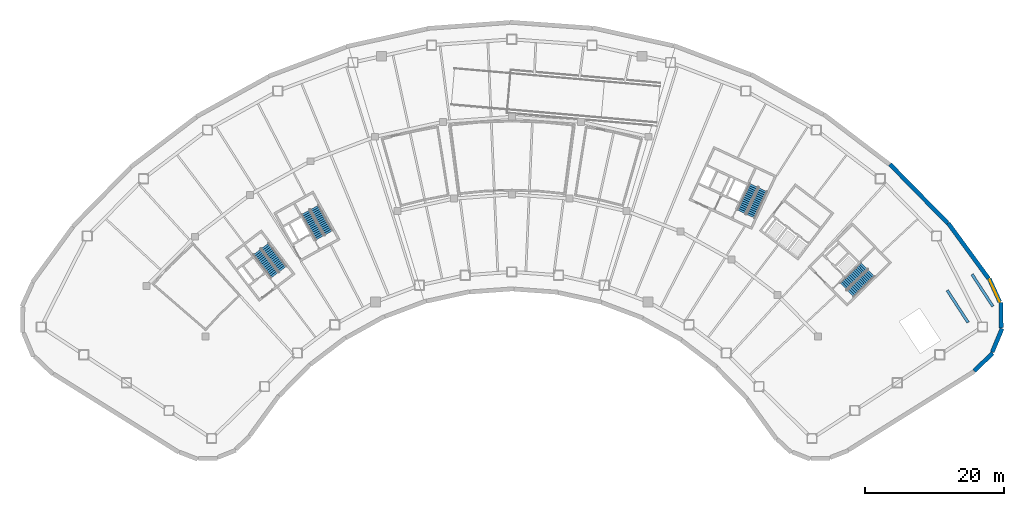
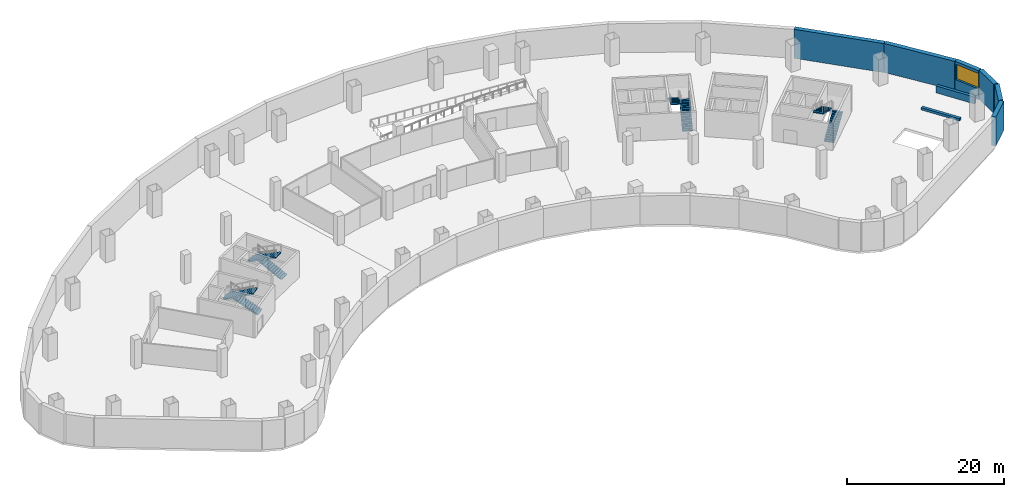
# One storey, part 8 of 11: 8 stair flights, 8 walls, 1 door, 1 opening, 4 elements without a shape of their own.
"""IFC4 building model written with IfcOpenShell, lengths in metres."""

from ifc_helpers import new_model, si_unit, direction, frame, frame_2d, origin, place, context, subcontext, project, spatial, polyline, rectangle, outline, extrude, material, layer, layer_set, type_object, element, fill, aggregate, save


model = new_model("IFC4")

# Units and contexts
model_context = context("Model", 3, precision=1e-05, world=origin(), true_north=direction((0.0, 1.0)))
body_context = subcontext(model_context, "Body", "Model", "MODEL_VIEW")
ifc_project = project(units=[si_unit("LENGTHUNIT", "METRE"), si_unit("AREAUNIT", "SQUARE_METRE"), si_unit("VOLUMEUNIT", "CUBIC_METRE"), si_unit("PLANEANGLEUNIT", "RADIAN"), si_unit("MASSUNIT", "GRAM", prefix="KILO")], contexts=[model_context])

# Site, building, storey
site_placement = place(None, origin())
site = spatial("IfcSite", under=ifc_project, at=site_placement, CompositionType="ELEMENT")
building_placement = place(site_placement, origin())
building = spatial("IfcBuilding", under=site, at=building_placement, Name="Tuul Gate Civic Tower", CompositionType="ELEMENT")
storey_placement = place(building_placement, frame((0.0, 0.0, -4.5)))
storey = spatial("IfcBuildingStorey", under=building, at=storey_placement, Name="Basement 1", CompositionType="ELEMENT", Elevation=-4.5)

# Walls
ifc_material_1 = material(Name="Concrete C40/50", Category="concrete")
ifc_layer_1 = layer(ifc_material_1, 0.39990234375)
ifc_layer_set_1 = layer_set([ifc_layer_1], Name="Concrete C40/50")
wall_type_1 = type_object("IfcWallType", Name="Ramp support wall 1075 HIGH", PredefinedType="SOLIDWALL", material=ifc_layer_set_1)
wall_1_placement = place(storey_placement, frame((66.068115234375, -13.81591796875, -0.0009765625), z_axis=(0.0, 0.0, 1.0), x_axis=(0.544662212455, -0.838655515885, 0.0)))
element("IfcWall", 1, at=wall_1_placement, inside=storey, type_object=wall_type_1, Name="Ramp support wall 1075 HIGH", PredefinedType="SOLIDWALL", context=body_context, shape_type="SweptSolid", body=[
    extrude(rectangle(XDim=5.5, YDim=0.39990234375, at=frame_2d((2.75, 0.0))), origin(), (0.0, 0.0, 1.0), 1.0751953125),
])
ifc_material_2 = material(Name="Concrete C40/50", Category="concrete")
ifc_layer_2 = layer(ifc_material_2, 0.39990234375)
ifc_layer_set_2 = layer_set([ifc_layer_2], Name="Concrete C40/50")
wall_type_2 = type_object("IfcWallType", Name="Ramp support wall 368 HIGH", PredefinedType="SOLIDWALL", material=ifc_layer_set_2)
wall_2_placement = place(storey_placement, frame((62.51220703125, -16.125, -0.0009765625), z_axis=(0.0, 0.0, 1.0), x_axis=(0.544641936525, -0.838668683676, 0.0)))
element("IfcWall", 2, at=wall_2_placement, inside=storey, type_object=wall_type_2, Name="Ramp support wall 368 HIGH", PredefinedType="SOLIDWALL", context=body_context, shape_type="SweptSolid", body=[
    extrude(rectangle(XDim=5.500244140625, YDim=0.39990234375, at=frame_2d((2.75, 0.0))), origin(), (0.0, 0.0, 1.0), 0.368408203125),
])
ifc_material_3 = material(Name="Concrete C40/50", Category="concrete")
ifc_layer_3 = layer(ifc_material_3, 0.60009765625)
ifc_layer_set_3 = layer_set([ifc_layer_3], Name="Concrete C40/50")
wall_type_3 = type_object("IfcWallType", Name="STR-BASEMENT-WALL-600", PredefinedType="SOLIDWALL", material=ifc_layer_set_3)
wall_3_placement = place(storey_placement, frame((66.369140625, -27.698486328125, 0.0), z_axis=(0.0, 0.0, 1.0), x_axis=(0.722172464987, 0.691713040801, 0.0)))
element("IfcWall", 3, at=wall_3_placement, inside=storey, type_object=wall_type_3, Name="Retaining wall", PredefinedType="SOLIDWALL", context=body_context, shape_type="SweptSolid", body=[
    extrude(rectangle(XDim=3.695068359375, YDim=0.60009765625, at=frame_2d((1.84765625, 0.0))), origin(), (0.0, 0.0, 1.0), 4.5),
])
wall_4_placement = place(storey_placement, frame((68.973876953125, -24.984619140625, 0.0), z_axis=(0.0, 0.0, 1.0), x_axis=(0.38582474077, 0.922572094424, 0.0)))
element("IfcWall", 4, at=wall_4_placement, inside=storey, type_object=wall_type_3, Name="Retaining wall", PredefinedType="SOLIDWALL", context=body_context, shape_type="SweptSolid", body=[
    extrude(rectangle(XDim=3.654296875, YDim=0.60009765625, at=frame_2d((1.8271484375, 0.0))), origin(), (0.0, 0.0, 1.0), 4.5),
])
wall_5_placement = place(storey_placement, frame((70.26220703125, -21.494140625, 0.0), z_axis=(0.0, 0.0, 1.0), x_axis=(-0.014359617427, 0.999896895378, 0.0)))
element("IfcWall", 5, at=wall_5_placement, inside=storey, type_object=wall_type_3, Name="Retaining wall", PredefinedType="SOLIDWALL", context=body_context, shape_type="SweptSolid", body=[
    extrude(rectangle(XDim=3.655517578125, YDim=0.60009765625, at=frame_2d((1.82763671875, 0.0))), origin(), (0.0, 0.0, 1.0), 4.5),
])

# Wall, opening, door
wall_6_placement = place(storey_placement, frame((70.050537109375, -17.7783203125, 0.0), z_axis=(0.0, 0.0, 1.0), x_axis=(-0.413012649276, 0.910725288733, 0.0)))
wall_6 = element("IfcWall", 6, at=wall_6_placement, inside=storey, type_object=wall_type_3, Name="Retaining wall", PredefinedType="SOLIDWALL", context=body_context, shape_type="SweptSolid", body=[
    extrude(rectangle(XDim=3.65478515625, YDim=0.60009765625, at=frame_2d((1.827392578125, 0.0))), origin(), (0.0, 0.0, 1.0), 4.5),
])
opening_placement = place(wall_6_placement, frame((0.004638671875, 0.0, 1.673095703125)))
opening = element("IfcOpeningElement", 7, at=opening_placement, cuts=wall_6, Name="Opening VD", PredefinedType="OPENING", context=body_context, shape_type="SweptSolid", body=[
    extrude(rectangle(XDim=3.5, YDim=2.39990234375, at=frame_2d((1.75, 1.199951171875))), frame((0.0, 0.31005859375, 0.0), z_axis=(0.0, -1.0, 0.0), x_axis=(1.0, 0.0, 0.0)), (0.0, 0.0, 1.0), 0.6201171875),
])
ifc_material_4 = material(Name="Galvanised steel", Category="steel")
door_type = type_object("IfcDoorType", Name="Vehicle door", OperationType="ROLLINGUP", PredefinedType="DOOR", material=ifc_material_4)
door_placement = place(opening_placement, origin())
door = element("IfcDoor", 8, at=door_placement, inside=storey, type_object=door_type, Name="Vehicle door", OperationType="ROLLINGUP", OverallHeight=2.39990234375, OverallWidth=3.5, PredefinedType="DOOR", context=body_context, shape_type="SweptSolid", body=[
    extrude(rectangle(XDim=3.5, YDim=2.39990234375, at=frame_2d((1.75, 1.199951171875))), frame((0.0, 0.02490234375, 0.0), z_axis=(0.0, -1.0, 0.0), x_axis=(1.0, 0.0, 0.0)), (0.0, 0.0, 1.0), 0.050048828125),
])
fill(opening, door)

# Walls
wall_7_placement = place(storey_placement, frame((68.454833984375, -14.435302734375, 0.0), z_axis=(0.0, 0.0, 1.0), x_axis=(-0.58971390071, 0.807612230783, 0.0)))
element("IfcWall", 9, at=wall_7_placement, inside=storey, type_object=wall_type_3, Name="Retaining wall", PredefinedType="SOLIDWALL", context=body_context, shape_type="SweptSolid", body=[
    extrude(rectangle(XDim=9.82958984375, YDim=0.60009765625, at=frame_2d((4.914794921875, 0.0))), origin(), (0.0, 0.0, 1.0), 4.5),
])
wall_8_placement = place(storey_placement, frame((62.595947265625, -6.4951171875, 0.0), z_axis=(0.0, 0.0, 1.0), x_axis=(-0.70006297283, 0.71408111169, 0.0)))
element("IfcWall", 10, at=wall_8_placement, inside=storey, type_object=wall_type_3, Name="Retaining wall", PredefinedType="SOLIDWALL", context=body_context, shape_type="SweptSolid", body=[
    extrude(rectangle(XDim=11.8603515625, YDim=0.60009765625, at=frame_2d((5.93017578125, 0.0))), origin(), (0.0, 0.0, 1.0), 4.5),
])

# Stair, stair flights
ifc_material_5 = material(Name="Concrete C40/50", Category="concrete")
stair_type = type_object("IfcStairType", Name="Exit stair", PredefinedType="HALF_TURN_STAIR", material=ifc_material_5)
stair_1_placement = place(storey_placement, origin())
stair_1 = element("IfcStair", 11, at=stair_1_placement, inside=storey, type_object=stair_type, Name="Basement 1 ST-1", PredefinedType="HALF_TURN_STAIR")
ifc_material_6 = material(Name="Concrete C40/50", Category="concrete")
stair_flight_type = type_object("IfcStairFlightType", Name="Exit stair flight", PredefinedType="STRAIGHT", material=ifc_material_6)
stair_flight_1_placement = place(storey_placement, frame((-32.875244140625, -13.066650390625, 0.0), z_axis=(0.0, 0.0, 1.0), x_axis=(-0.605764474941, 0.795644016442, 0.0)))
stair_flight_1 = element("IfcStairFlight", 12, at=stair_flight_1_placement, type_object=stair_flight_type, Name="ST-1 flight 1", NumberOfRisers=15, NumberOfTreads=14, PredefinedType="STRAIGHT", RiserHeight=0.15, TreadLength=0.3, context=body_context, shape_type="SweptSolid", body=[
    extrude(outline(polyline([(0.0, 0.0), (0.0, 0.14990234375), (0.300048828125, 0.14990234375), (0.300048828125, 0.300048828125), (0.60009765625, 0.300048828125), (0.60009765625, 0.449951171875), (0.89990234375, 0.449951171875), (0.89990234375, 0.60009765625), (1.199951171875, 0.60009765625), (1.199951171875, 0.75), (1.5, 0.75), (1.5, 0.89990234375), (1.800048828125, 0.89990234375), (1.800048828125, 1.050048828125), (2.10009765625, 1.050048828125), (2.10009765625, 1.199951171875), (2.39990234375, 1.199951171875), (2.39990234375, 1.35009765625), (2.699951171875, 1.35009765625), (2.699951171875, 1.5), (3.0, 1.5), (3.0, 1.64990234375), (3.300048828125, 1.64990234375), (3.300048828125, 1.800048828125), (3.60009765625, 1.800048828125), (3.60009765625, 1.949951171875), (3.89990234375, 1.949951171875), (3.89990234375, 2.10009765625), (4.199951171875, 2.10009765625), (4.199951171875, 2.25), (4.199951171875, 1.932373046875), (0.335205078125, 0.0), (0.0, 0.0)])), frame((0.0, 0.675048828125, 0.0), z_axis=(0.0, -1.0, 0.0), x_axis=(1.0, 0.0, 0.0)), (0.0, 0.0, 1.0), 1.35009765625),
])
stair_flight_2_placement = place(storey_placement, frame((-36.5732421875, -10.603515625, 2.25), z_axis=(0.0, 0.0, 1.0), x_axis=(0.605764474941, -0.795644016442, 0.0)))
stair_flight_2 = element("IfcStairFlight", 13, at=stair_flight_2_placement, type_object=stair_flight_type, Name="ST-1 flight 2", NumberOfRisers=15, NumberOfTreads=14, PredefinedType="STRAIGHT", RiserHeight=0.15, TreadLength=0.3, context=body_context, shape_type="SweptSolid", body=[
    extrude(outline(polyline([(0.0, 0.0), (0.0, 0.14990234375), (0.300048828125, 0.14990234375), (0.300048828125, 0.300048828125), (0.60009765625, 0.300048828125), (0.60009765625, 0.449951171875), (0.89990234375, 0.449951171875), (0.89990234375, 0.60009765625), (1.199951171875, 0.60009765625), (1.199951171875, 0.75), (1.5, 0.75), (1.5, 0.89990234375), (1.800048828125, 0.89990234375), (1.800048828125, 1.050048828125), (2.10009765625, 1.050048828125), (2.10009765625, 1.199951171875), (2.39990234375, 1.199951171875), (2.39990234375, 1.35009765625), (2.699951171875, 1.35009765625), (2.699951171875, 1.5), (3.0, 1.5), (3.0, 1.64990234375), (3.300048828125, 1.64990234375), (3.300048828125, 1.800048828125), (3.60009765625, 1.800048828125), (3.60009765625, 1.949951171875), (3.89990234375, 1.949951171875), (3.89990234375, 2.10009765625), (4.199951171875, 2.10009765625), (4.199951171875, 2.25), (4.199951171875, 1.932373046875), (0.335205078125, 0.0), (0.0, 0.0)])), frame((0.0, 0.675048828125, 0.0), z_axis=(0.0, -1.0, 0.0), x_axis=(1.0, 0.0, 0.0)), (0.0, 0.0, 1.0), 1.35009765625),
])
aggregate(stair_1, [stair_flight_1, stair_flight_2])

stair_2_placement = place(storey_placement, origin())
stair_2 = element("IfcStair", 14, at=stair_2_placement, inside=storey, type_object=stair_type, Name="Basement 1 ST-2", PredefinedType="HALF_TURN_STAIR")
stair_flight_3_placement = place(storey_placement, frame((-26.29150390625, -7.87646484375, 0.0), z_axis=(0.0, 0.0, 1.0), x_axis=(-0.484761763766, 0.874646232708, 0.0)))
stair_flight_3 = element("IfcStairFlight", 15, at=stair_flight_3_placement, type_object=stair_flight_type, Name="ST-2 flight 1", NumberOfRisers=15, NumberOfTreads=14, PredefinedType="STRAIGHT", RiserHeight=0.15, TreadLength=0.3, context=body_context, shape_type="SweptSolid", body=[
    extrude(outline(polyline([(0.0, 0.0), (0.0, 0.14990234375), (0.300048828125, 0.14990234375), (0.300048828125, 0.300048828125), (0.60009765625, 0.300048828125), (0.60009765625, 0.449951171875), (0.89990234375, 0.449951171875), (0.89990234375, 0.60009765625), (1.199951171875, 0.60009765625), (1.199951171875, 0.75), (1.5, 0.75), (1.5, 0.89990234375), (1.800048828125, 0.89990234375), (1.800048828125, 1.050048828125), (2.10009765625, 1.050048828125), (2.10009765625, 1.199951171875), (2.39990234375, 1.199951171875), (2.39990234375, 1.35009765625), (2.699951171875, 1.35009765625), (2.699951171875, 1.5), (3.0, 1.5), (3.0, 1.64990234375), (3.300048828125, 1.64990234375), (3.300048828125, 1.800048828125), (3.60009765625, 1.800048828125), (3.60009765625, 1.949951171875), (3.89990234375, 1.949951171875), (3.89990234375, 2.10009765625), (4.199951171875, 2.10009765625), (4.199951171875, 2.25), (4.199951171875, 1.932373046875), (0.335205078125, 0.0), (0.0, 0.0)])), frame((0.0, 0.675048828125, 0.0), z_axis=(0.0, -1.0, 0.0), x_axis=(1.0, 0.0, 0.0)), (0.0, 0.0, 1.0), 1.35009765625),
])
stair_flight_4_placement = place(storey_placement, frame((-29.595947265625, -4.90576171875, 2.25), z_axis=(0.0, 0.0, 1.0), x_axis=(0.484761763766, -0.874646232708, 0.0)))
stair_flight_4 = element("IfcStairFlight", 16, at=stair_flight_4_placement, type_object=stair_flight_type, Name="ST-2 flight 2", NumberOfRisers=15, NumberOfTreads=14, PredefinedType="STRAIGHT", RiserHeight=0.15, TreadLength=0.3, context=body_context, shape_type="SweptSolid", body=[
    extrude(outline(polyline([(0.0, 0.0), (0.0, 0.14990234375), (0.300048828125, 0.14990234375), (0.300048828125, 0.300048828125), (0.60009765625, 0.300048828125), (0.60009765625, 0.449951171875), (0.89990234375, 0.449951171875), (0.89990234375, 0.60009765625), (1.199951171875, 0.60009765625), (1.199951171875, 0.75), (1.5, 0.75), (1.5, 0.89990234375), (1.800048828125, 0.89990234375), (1.800048828125, 1.050048828125), (2.10009765625, 1.050048828125), (2.10009765625, 1.199951171875), (2.39990234375, 1.199951171875), (2.39990234375, 1.35009765625), (2.699951171875, 1.35009765625), (2.699951171875, 1.5), (3.0, 1.5), (3.0, 1.64990234375), (3.300048828125, 1.64990234375), (3.300048828125, 1.800048828125), (3.60009765625, 1.800048828125), (3.60009765625, 1.949951171875), (3.89990234375, 1.949951171875), (3.89990234375, 2.10009765625), (4.199951171875, 2.10009765625), (4.199951171875, 2.25), (4.199951171875, 1.932373046875), (0.335205078125, 0.0), (0.0, 0.0)])), frame((0.0, 0.675048828125, 0.0), z_axis=(0.0, -1.0, 0.0), x_axis=(1.0, 0.0, 0.0)), (0.0, 0.0, 1.0), 1.35009765625),
])
aggregate(stair_2, [stair_flight_3, stair_flight_4])

stair_3_placement = place(storey_placement, origin())
stair_3 = element("IfcStair", 17, at=stair_3_placement, inside=storey, type_object=stair_type, Name="Basement 1 ST-3", PredefinedType="HALF_TURN_STAIR")
stair_flight_5_placement = place(storey_placement, frame((48.61376953125, -16.581787109375, 0.0), z_axis=(0.0, 0.0, 1.0), x_axis=(0.714127290059, 0.700015866672, 0.0)))
stair_flight_5 = element("IfcStairFlight", 18, at=stair_flight_5_placement, type_object=stair_flight_type, Name="ST-3 flight 1", NumberOfRisers=15, NumberOfTreads=14, PredefinedType="STRAIGHT", RiserHeight=0.15, TreadLength=0.3, context=body_context, shape_type="SweptSolid", body=[
    extrude(outline(polyline([(0.0, 0.0), (0.0, 0.14990234375), (0.300048828125, 0.14990234375), (0.300048828125, 0.300048828125), (0.60009765625, 0.300048828125), (0.60009765625, 0.449951171875), (0.89990234375, 0.449951171875), (0.89990234375, 0.60009765625), (1.199951171875, 0.60009765625), (1.199951171875, 0.75), (1.5, 0.75), (1.5, 0.89990234375), (1.800048828125, 0.89990234375), (1.800048828125, 1.050048828125), (2.10009765625, 1.050048828125), (2.10009765625, 1.199951171875), (2.39990234375, 1.199951171875), (2.39990234375, 1.35009765625), (2.699951171875, 1.35009765625), (2.699951171875, 1.5), (3.0, 1.5), (3.0, 1.64990234375), (3.300048828125, 1.64990234375), (3.300048828125, 1.800048828125), (3.60009765625, 1.800048828125), (3.60009765625, 1.949951171875), (3.89990234375, 1.949951171875), (3.89990234375, 2.10009765625), (4.199951171875, 2.10009765625), (4.199951171875, 2.25), (4.199951171875, 1.932373046875), (0.335205078125, 0.0), (0.0, 0.0)])), frame((0.0, 0.675048828125, 0.0), z_axis=(0.0, -1.0, 0.0), x_axis=(1.0, 0.0, 0.0)), (0.0, 0.0, 1.0), 1.35009765625),
])
stair_flight_6_placement = place(storey_placement, frame((50.59814453125, -12.606201171875, 2.25), z_axis=(0.0, 0.0, 1.0), x_axis=(-0.714127290059, -0.700015866672, 0.0)))
stair_flight_6 = element("IfcStairFlight", 19, at=stair_flight_6_placement, type_object=stair_flight_type, Name="ST-3 flight 2", NumberOfRisers=15, NumberOfTreads=14, PredefinedType="STRAIGHT", RiserHeight=0.15, TreadLength=0.3, context=body_context, shape_type="SweptSolid", body=[
    extrude(outline(polyline([(0.0, 0.0), (0.0, 0.14990234375), (0.300048828125, 0.14990234375), (0.300048828125, 0.300048828125), (0.60009765625, 0.300048828125), (0.60009765625, 0.449951171875), (0.89990234375, 0.449951171875), (0.89990234375, 0.60009765625), (1.199951171875, 0.60009765625), (1.199951171875, 0.75), (1.5, 0.75), (1.5, 0.89990234375), (1.800048828125, 0.89990234375), (1.800048828125, 1.050048828125), (2.10009765625, 1.050048828125), (2.10009765625, 1.199951171875), (2.39990234375, 1.199951171875), (2.39990234375, 1.35009765625), (2.699951171875, 1.35009765625), (2.699951171875, 1.5), (3.0, 1.5), (3.0, 1.64990234375), (3.300048828125, 1.64990234375), (3.300048828125, 1.800048828125), (3.60009765625, 1.800048828125), (3.60009765625, 1.949951171875), (3.89990234375, 1.949951171875), (3.89990234375, 2.10009765625), (4.199951171875, 2.10009765625), (4.199951171875, 2.25), (4.199951171875, 1.932373046875), (0.335205078125, 0.0), (0.0, 0.0)])), frame((0.0, 0.675048828125, 0.0), z_axis=(0.0, -1.0, 0.0), x_axis=(1.0, 0.0, 0.0)), (0.0, 0.0, 1.0), 1.35009765625),
])
aggregate(stair_3, [stair_flight_5, stair_flight_6])

stair_4_placement = place(storey_placement, origin())
stair_4 = element("IfcStair", 20, at=stair_4_placement, inside=storey, type_object=stair_type, Name="Basement 1 ST-4", PredefinedType="HALF_TURN_STAIR")
stair_flight_7_placement = place(storey_placement, frame((34.278564453125, -5.478515625, 0.0), z_axis=(0.0, 0.0, 1.0), x_axis=(0.422576295988, 0.906327354806, 0.0)))
stair_flight_7 = element("IfcStairFlight", 21, at=stair_flight_7_placement, type_object=stair_flight_type, Name="ST-4 flight 1", NumberOfRisers=15, NumberOfTreads=14, PredefinedType="STRAIGHT", RiserHeight=0.15, TreadLength=0.3, context=body_context, shape_type="SweptSolid", body=[
    extrude(outline(polyline([(0.0, 0.0), (0.0, 0.14990234375), (0.300048828125, 0.14990234375), (0.300048828125, 0.300048828125), (0.60009765625, 0.300048828125), (0.60009765625, 0.449951171875), (0.89990234375, 0.449951171875), (0.89990234375, 0.60009765625), (1.199951171875, 0.60009765625), (1.199951171875, 0.75), (1.5, 0.75), (1.5, 0.89990234375), (1.800048828125, 0.89990234375), (1.800048828125, 1.050048828125), (2.10009765625, 1.050048828125), (2.10009765625, 1.199951171875), (2.39990234375, 1.199951171875), (2.39990234375, 1.35009765625), (2.699951171875, 1.35009765625), (2.699951171875, 1.5), (3.0, 1.5), (3.0, 1.64990234375), (3.300048828125, 1.64990234375), (3.300048828125, 1.800048828125), (3.60009765625, 1.800048828125), (3.60009765625, 1.949951171875), (3.89990234375, 1.949951171875), (3.89990234375, 2.10009765625), (4.199951171875, 2.10009765625), (4.199951171875, 2.25), (4.199951171875, 1.932373046875), (0.335205078125, 0.0), (0.0, 0.0)])), frame((0.0, 0.675048828125, 0.0), z_axis=(0.0, -1.0, 0.0), x_axis=(1.0, 0.0, 0.0)), (0.0, 0.0, 1.0), 1.35009765625),
])
stair_flight_8_placement = place(storey_placement, frame((34.7392578125, -1.059326171875, 2.25), z_axis=(0.0, 0.0, 1.0), x_axis=(-0.422576295988, -0.906327354806, 0.0)))
stair_flight_8 = element("IfcStairFlight", 22, at=stair_flight_8_placement, type_object=stair_flight_type, Name="ST-4 flight 2", NumberOfRisers=15, NumberOfTreads=14, PredefinedType="STRAIGHT", RiserHeight=0.15, TreadLength=0.3, context=body_context, shape_type="SweptSolid", body=[
    extrude(outline(polyline([(0.0, 0.0), (0.0, 0.14990234375), (0.300048828125, 0.14990234375), (0.300048828125, 0.300048828125), (0.60009765625, 0.300048828125), (0.60009765625, 0.449951171875), (0.89990234375, 0.449951171875), (0.89990234375, 0.60009765625), (1.199951171875, 0.60009765625), (1.199951171875, 0.75), (1.5, 0.75), (1.5, 0.89990234375), (1.800048828125, 0.89990234375), (1.800048828125, 1.050048828125), (2.10009765625, 1.050048828125), (2.10009765625, 1.199951171875), (2.39990234375, 1.199951171875), (2.39990234375, 1.35009765625), (2.699951171875, 1.35009765625), (2.699951171875, 1.5), (3.0, 1.5), (3.0, 1.64990234375), (3.300048828125, 1.64990234375), (3.300048828125, 1.800048828125), (3.60009765625, 1.800048828125), (3.60009765625, 1.949951171875), (3.89990234375, 1.949951171875), (3.89990234375, 2.10009765625), (4.199951171875, 2.10009765625), (4.199951171875, 2.25), (4.199951171875, 1.932373046875), (0.335205078125, 0.0), (0.0, 0.0)])), frame((0.0, 0.675048828125, 0.0), z_axis=(0.0, -1.0, 0.0), x_axis=(1.0, 0.0, 0.0)), (0.0, 0.0, 1.0), 1.35009765625),
])
aggregate(stair_4, [stair_flight_7, stair_flight_8])

save(model, "model.ifc")
